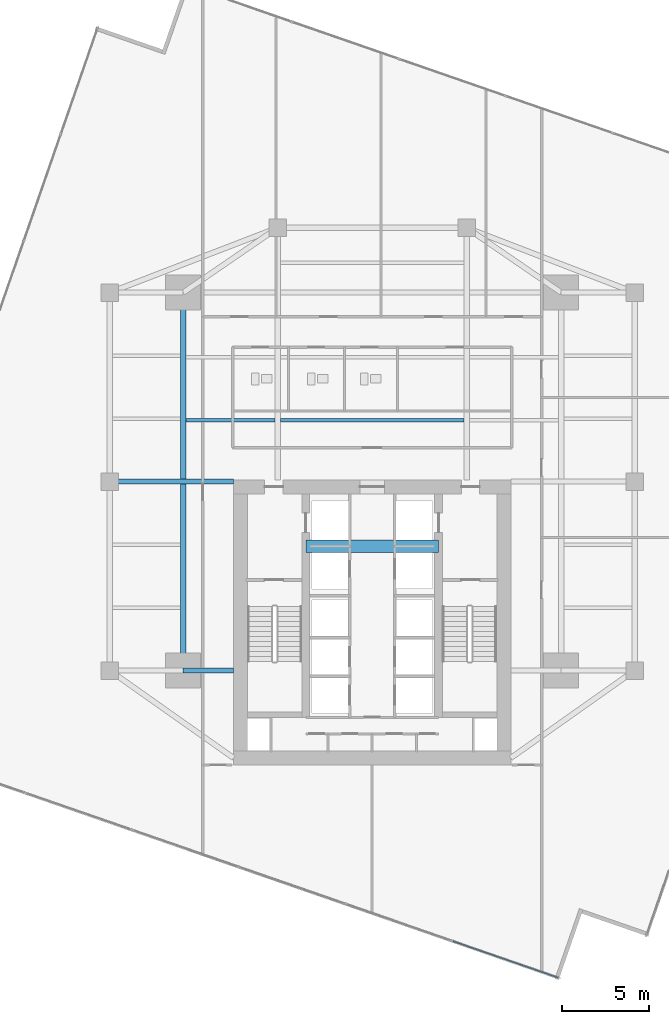
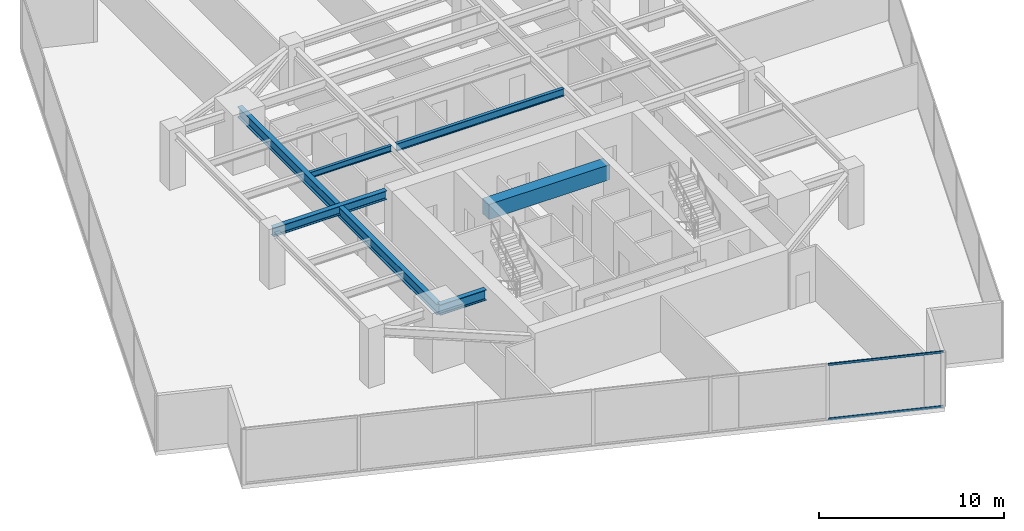
# One storey, part 9 of 27: 6 beams, 2 members, 1 element without a shape of its own.
"""IFC4 building model written with IfcOpenShell, lengths in metres."""

from ifc_helpers import new_model, si_unit, direction, frame, origin, origin_2d, place, context, subcontext, project, spatial, rectangle, hollow_rectangle, i_section, extrude, source, transform, mapped, material, material_profile, profile_set, type_object, type_shapes, element, aggregate, save


model = new_model("IFC4")

# Units and contexts
model_context = context("Model", 3, precision=1e-05, world=origin(), true_north=direction((0.0, 1.0)))
body_context = subcontext(model_context, "Body", "Model", "MODEL_VIEW")
ifc_project = project(units=[si_unit("LENGTHUNIT", "METRE"), si_unit("AREAUNIT", "SQUARE_METRE"), si_unit("VOLUMEUNIT", "CUBIC_METRE"), si_unit("PLANEANGLEUNIT", "RADIAN"), si_unit("MASSUNIT", "GRAM", prefix="KILO")], contexts=[model_context])

# Site, building, storey
site_placement = place(None, origin())
site = spatial("IfcSite", under=ifc_project, at=site_placement, CompositionType="ELEMENT")
building_placement = place(site_placement, origin())
building = spatial("IfcBuilding", under=site, at=building_placement, Name="Krantzveldt Concourse Tower", CompositionType="ELEMENT")
storey_placement = place(building_placement, frame((0.0, 0.0, 121.64990234375)))
storey = spatial("IfcBuildingStorey", under=building, at=storey_placement, Name="L29", CompositionType="ELEMENT", Elevation=121.64990234375)

# Beams
ifc_material_1 = material(Name="Steel S355J2", Category="steel")
ifc_material_profile_1 = material_profile(ifc_material_1, i_section(OverallWidth=0.300048828125, OverallDepth=0.699951171875, WebThickness=0.01708984375, FlangeThickness=0.031982421875, FilletRadius=0.027099609375, at=origin_2d()), Name="Steel S355J2", Category="steel")
ifc_profile_set_1 = profile_set([ifc_material_profile_1], Name="Steel S355J2 - HEB 700")
beam_type_1 = type_object("IfcBeamType", Name="BM-B-HEB700", PredefinedType="BEAM", material=ifc_profile_set_1)
shared_shape_1 = source(origin(), body_context, "Body", "SweptSolid", [
    extrude(i_section(OverallWidth=0.300048828125, OverallDepth=0.699951171875, WebThickness=0.01708984375, FlangeThickness=0.031982421875, FilletRadius=0.027099609375, at=origin_2d()), origin(), (0.0, 0.0, 1.0), 2.880126953125),
])
beam_1_placement = place(storey_placement, frame((25.199951171875, 15.89990234375, 3.320068359375), z_axis=(1.0, 0.0, 0.0), x_axis=(0.0, 1.0, 0.0)))
element("IfcBeam", 1, at=beam_1_placement, inside=storey, type_object=beam_type_1, Name="L29 Tower Girder BG-CW1", PredefinedType="BEAM", context=body_context, shape_type="MappedRepresentation", body=[
    mapped(shared_shape_1, transform((0.0, 0.0, 0.0), x_axis=(1.0, 0.0, 0.0), y_axis=(0.0, 1.0, 0.0), z_axis=(0.0, 0.0, 1.0), scale=1.0)),
])
shared_shape_2 = source(origin(), body_context, "Body", "SweptSolid", [
    extrude(i_section(OverallWidth=0.300048828125, OverallDepth=0.699951171875, WebThickness=0.01708984375, FlangeThickness=0.031982421875, FilletRadius=0.027099609375, at=origin_2d()), origin(), (0.0, 0.0, 1.0), 21.60009765625),
])
type_shapes(beam_type_1, [shared_shape_1, shared_shape_2])
beam_2_placement = place(storey_placement, frame((25.199951171875, 15.89990234375, 3.320068359375), z_axis=(0.0, 1.0, 0.0), x_axis=(-1.0, 0.0, 0.0)))
element("IfcBeam", 2, at=beam_2_placement, inside=storey, type_object=beam_type_1, Name="L29 Tower Girder BG-MW", PredefinedType="BEAM", context=body_context, shape_type="MappedRepresentation", body=[
    mapped(shared_shape_2, transform((0.0, 0.0, 0.0), x_axis=(1.0, 0.0, 0.0), y_axis=(0.0, 1.0, 0.0), z_axis=(0.0, 0.0, 1.0), scale=1.0)),
])
ifc_material_2 = material(Name="Steel S355JR", Category="steel")
ifc_material_profile_2 = material_profile(ifc_material_2, i_section(OverallWidth=0.300048828125, OverallDepth=0.590087890625, WebThickness=0.012939453125, FlangeThickness=0.02490234375, FilletRadius=0.027099609375, at=origin_2d()), Name="Steel S355JR", Category="steel")
ifc_profile_set_2 = profile_set([ifc_material_profile_2], Name="Steel S355JR - HEA 600")
beam_type_2 = type_object("IfcBeamType", Name="BM-B-HEA600", PredefinedType="BEAM", material=ifc_profile_set_2)
shared_shape_3 = source(origin(), body_context, "Body", "SweptSolid", [
    extrude(i_section(OverallWidth=0.300048828125, OverallDepth=0.590087890625, WebThickness=0.012939453125, FlangeThickness=0.02490234375, FilletRadius=0.027099609375, at=origin_2d()), origin(), (0.0, 0.0, 1.0), 7.080078125),
])
type_shapes(beam_type_2, [shared_shape_3])
beam_3_placement = place(storey_placement, frame((21.0, 26.699951171875, 3.375), z_axis=(1.0, 0.0, 0.0), x_axis=(0.0, 1.0, 0.0)))
element("IfcBeam", 3, at=beam_3_placement, inside=storey, type_object=beam_type_2, Name="L29 Tower Girder BG-CW2", PredefinedType="BEAM", context=body_context, shape_type="MappedRepresentation", body=[
    mapped(shared_shape_3, transform((0.0, 0.0, 0.0), x_axis=(1.0, 0.0, 0.0), y_axis=(0.0, 1.0, 0.0), z_axis=(0.0, 0.0, 1.0), scale=1.0)),
])
ifc_material_profile_3 = material_profile(ifc_material_2, i_section(OverallWidth=0.199951171875, OverallDepth=0.5, WebThickness=0.01025390625, FlangeThickness=0.01611328125, FilletRadius=0.02099609375, at=origin_2d()), Name="Steel S355JR", Category="steel")
ifc_profile_set_3 = profile_set([ifc_material_profile_3], Name="Steel S355JR - IPE 500")
beam_type_3 = type_object("IfcBeamType", Name="BM-J-IPE500", PredefinedType="JOIST", material=ifc_profile_set_3)
shared_shape_4 = source(origin(), body_context, "Body", "SweptSolid", [
    extrude(i_section(OverallWidth=0.199951171875, OverallDepth=0.5, WebThickness=0.01025390625, FlangeThickness=0.01611328125, FilletRadius=0.02099609375, at=origin_2d()), origin(), (0.0, 0.0, 1.0), 10.5),
])
type_shapes(beam_type_3, [shared_shape_4])
beam_4_placement = place(storey_placement, frame((30.75, 30.199951171875, 3.420166015625), z_axis=(1.0, 0.0, 0.0), x_axis=(0.0, 1.0, 0.0)))
element("IfcBeam", 4, at=beam_4_placement, inside=storey, type_object=beam_type_3, Name="L29 Secondary Floor Joist JN-C1", PredefinedType="JOIST", context=body_context, shape_type="MappedRepresentation", body=[
    mapped(shared_shape_4, transform((0.0, 0.0, 0.0), x_axis=(1.0, 0.0, 0.0), y_axis=(0.0, 1.0, 0.0), z_axis=(0.0, 0.0, 1.0), scale=1.0)),
])
ifc_material_profile_4 = material_profile(ifc_material_2, i_section(OverallWidth=0.179931640625, OverallDepth=0.39990234375, WebThickness=0.008544921875, FlangeThickness=0.013427734375, FilletRadius=0.02099609375, at=origin_2d()), Name="Steel S355JR", Category="steel")
ifc_profile_set_4 = profile_set([ifc_material_profile_4], Name="Steel S355JR - IPE 400")
beam_type_4 = type_object("IfcBeamType", Name="BM-J-IPE400", PredefinedType="JOIST", material=ifc_profile_set_4)
shared_shape_5 = source(origin(), body_context, "Body", "SweptSolid", [
    extrude(i_section(OverallWidth=0.179931640625, OverallDepth=0.39990234375, WebThickness=0.008544921875, FlangeThickness=0.013427734375, FilletRadius=0.02099609375, at=origin_2d()), origin(), (0.0, 0.0, 1.0), 5.099853515625),
])
type_shapes(beam_type_4, [shared_shape_5])
beam_5_placement = place(storey_placement, frame((25.35009765625, 30.199951171875, 3.47021484375), z_axis=(1.0, 0.0, 0.0), x_axis=(0.0, 1.0, 0.0)))
element("IfcBeam", 5, at=beam_5_placement, inside=storey, type_object=beam_type_4, Name="L29 Secondary Floor Joist JN-W1", PredefinedType="JOIST", context=body_context, shape_type="MappedRepresentation", body=[
    mapped(shared_shape_5, transform((0.0, 0.0, 0.0), x_axis=(1.0, 0.0, 0.0), y_axis=(0.0, 1.0, 0.0), z_axis=(0.0, 0.0, 1.0), scale=1.0)),
])
ifc_material_3 = material(Name="Concrete C50/60", Category="concrete")
ifc_material_profile_5 = material_profile(ifc_material_3, rectangle(XDim=0.699951171875, YDim=1.0, at=origin_2d()), Name="Concrete C50/60", Category="concrete")
ifc_profile_set_5 = profile_set([ifc_material_profile_5], Name="Concrete C50/60 - RC-CB 700x1000")
beam_type_5 = type_object("IfcBeamType", Name="BM-CB-1000", PredefinedType="LINTEL", material=ifc_profile_set_5)
shared_shape_6 = source(origin(), body_context, "Body", "SweptSolid", [
    extrude(rectangle(XDim=0.699951171875, YDim=1.0, at=origin_2d()), origin(), (0.0, 0.0, 1.0), 7.580078125),
])
type_shapes(beam_type_5, [shared_shape_6])
beam_6_placement = place(storey_placement, frame((32.2099609375, 23.0, 3.170166015625), z_axis=(1.0, 0.0, 0.0), x_axis=(0.0, 1.0, 0.0)))
element("IfcBeam", 6, at=beam_6_placement, inside=storey, type_object=beam_type_5, Name="CB-L29-01", PredefinedType="LINTEL", context=body_context, shape_type="MappedRepresentation", body=[
    mapped(shared_shape_6, transform((0.0, 0.0, 0.0), x_axis=(1.0, 0.0, 0.0), y_axis=(0.0, 1.0, 0.0), z_axis=(0.0, 0.0, 1.0), scale=1.0)),
])

# Curtain wall, members
ifc_material_4 = material(Name="Anodised aluminium 6063-T6", Category="aluminium")
curtain_wall_type = type_object("IfcCurtainWallType", Name="CW2", PredefinedType="USERDEFINED", material=ifc_material_4)
curtain_wall_placement = place(storey_placement, origin())
curtain_wall = element("IfcCurtainWall", 7, at=curtain_wall_placement, inside=storey, type_object=curtain_wall_type, Name="CW-L29-F04", ObjectType="UNITISED CURTAIN WALL", PredefinedType="USERDEFINED")
ifc_material_profile_6 = material_profile(ifc_material_4, hollow_rectangle(XDim=0.070068359375, YDim=0.139892578125, WallThickness=0.0048828125, at=origin_2d()), Name="Anodised aluminium 6063-T6", Category="aluminium")
ifc_profile_set_6 = profile_set([ifc_material_profile_6], Name="Anodised aluminium 6063-T6 - ALU-TRAN 140x70x5")
member_type = type_object("IfcMemberType", Name="CW-TRN-150", PredefinedType="USERDEFINED", material=ifc_profile_set_6)
shared_shape_7 = source(origin(), body_context, "Body", "SweptSolid", [
    extrude(hollow_rectangle(XDim=0.070068359375, YDim=0.139892578125, WallThickness=0.0048828125, at=origin_2d()), origin(), (0.0, 0.0, 1.0), 6.361572265625),
])
type_shapes(member_type, [shared_shape_7])
member_1_placement = place(storey_placement, frame((40.615478515625, 0.427734375, 0.03515625), z_axis=(0.944807532294, -0.327625894764, 0.0), x_axis=(0.327625894764, 0.944807532294, 0.0)))
member_1 = element("IfcMember", 8, at=member_1_placement, type_object=member_type, Name="CW-Z12 transom 6.1", ObjectType="TRANSOM", PredefinedType="USERDEFINED", context=body_context, shape_type="MappedRepresentation", body=[
    mapped(shared_shape_7, transform((0.0, 0.0, 0.0), x_axis=(1.0, 0.0, 0.0), y_axis=(0.0, 1.0, 0.0), z_axis=(0.0, 0.0, 1.0), scale=1.0)),
])
member_2_placement = place(storey_placement, frame((40.615478515625, 0.427734375, 3.635009765625), z_axis=(0.944807532294, -0.327625894764, 0.0), x_axis=(0.327625894764, 0.944807532294, 0.0)))
member_2 = element("IfcMember", 9, at=member_2_placement, type_object=member_type, Name="CW-Z12 transom 6.2", ObjectType="TRANSOM", PredefinedType="USERDEFINED", context=body_context, shape_type="MappedRepresentation", body=[
    mapped(shared_shape_7, transform((0.0, 0.0, 0.0), x_axis=(1.0, 0.0, 0.0), y_axis=(0.0, 1.0, 0.0), z_axis=(0.0, 0.0, 1.0), scale=1.0)),
])
aggregate(curtain_wall, [member_1, member_2])

save(model, "model.ifc")
